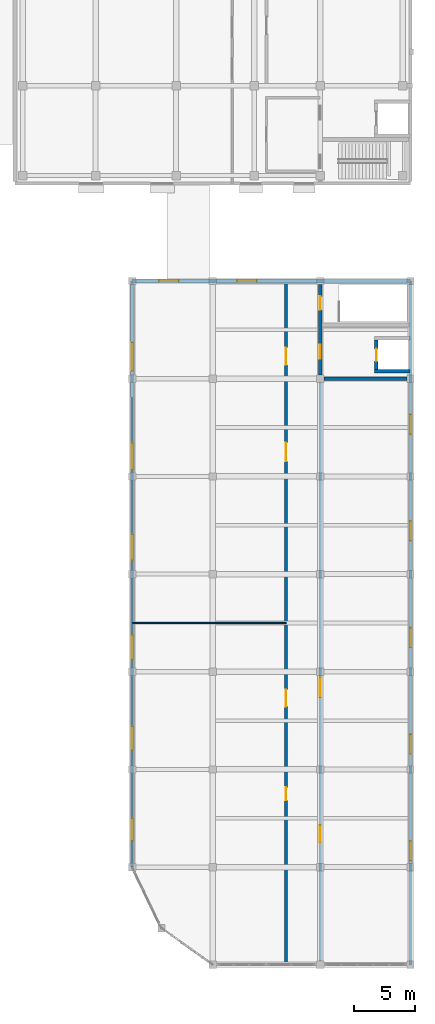
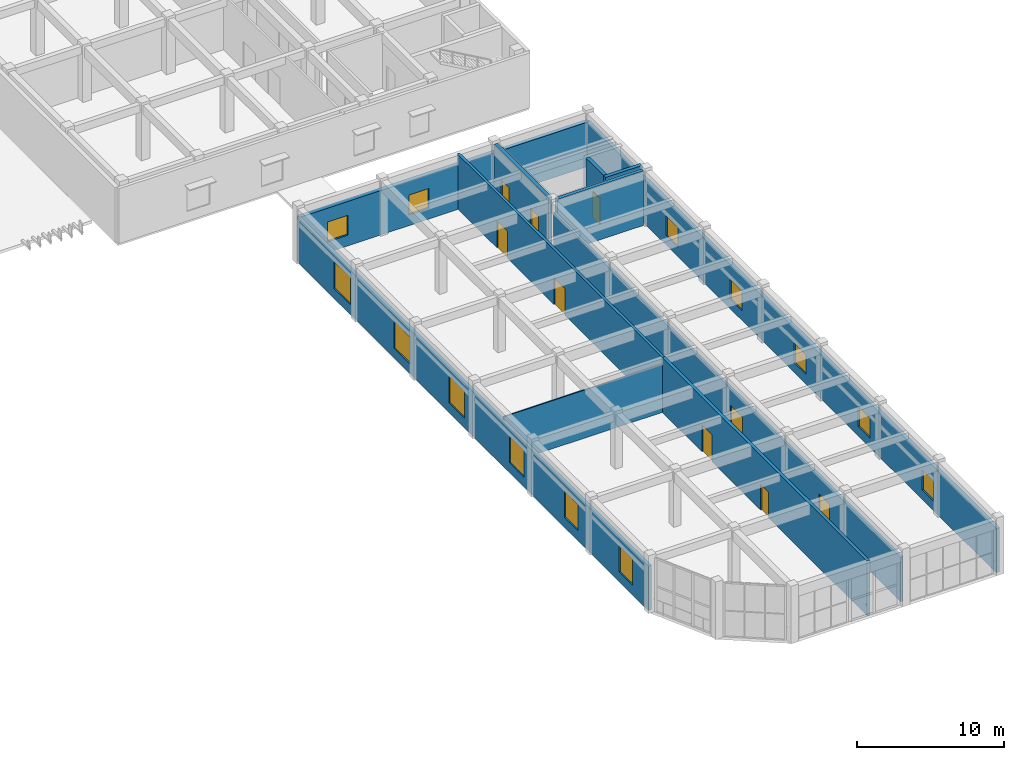
# One storey, part 56 of 76: 13 windows, 11 walls, 9 doors, 22 openings.
"""IFC4 building model written with IfcOpenShell, lengths in metres."""

from ifc_helpers import new_model, si_unit, direction, frame, frame_2d, origin, place, context, subcontext, project, spatial, rectangle, extrude, material, layer, layer_set, type_object, element, fill, save


model = new_model("IFC4")

# Units and contexts
model_context = context("Model", 3, precision=1e-05, world=origin(), true_north=direction((0.0, 1.0)))
body_context = subcontext(model_context, "Body", "Model", "MODEL_VIEW")
ifc_project = project(units=[si_unit("LENGTHUNIT", "METRE"), si_unit("AREAUNIT", "SQUARE_METRE"), si_unit("VOLUMEUNIT", "CUBIC_METRE"), si_unit("PLANEANGLEUNIT", "RADIAN"), si_unit("MASSUNIT", "GRAM", prefix="KILO")], contexts=[model_context])

# Site, building, storey
site_placement = place(None, origin())
site = spatial("IfcSite", under=ifc_project, at=site_placement, CompositionType="ELEMENT")
building_placement = place(site_placement, origin())
building = spatial("IfcBuilding", under=site, at=building_placement, Name="Cinchona Park Media Centre", CompositionType="ELEMENT")
storey_placement = place(building_placement, frame((0.0, 0.0, 15.60009765625)))
storey = spatial("IfcBuildingStorey", under=building, at=storey_placement, Name="L03", CompositionType="ELEMENT", Elevation=15.60009765625)

# Wall, openings, doors
ifc_material_1 = material(Name="Acoustic Double-Stud Gypsum Partition", Category="gypsum")
ifc_layer_1 = layer(ifc_material_1, 0.2099609375)
ifc_layer_set_1 = layer_set([ifc_layer_1], Name="Acoustic Double-Stud Gypsum Partition")
wall_type_1 = type_object("IfcWallType", Name="WALL-W-AC210", PredefinedType="PARTITIONING", material=ifc_layer_set_1)
wall_1_placement = place(storey_placement, frame((161.800048828125, 35.60009765625, 0.0), z_axis=(0.0, 0.0, 1.0), x_axis=(0.0, 1.0, 0.0)))
wall_1 = element("IfcWall", 1, at=wall_1_placement, inside=storey, type_object=wall_type_1, Name="Interior Wall W-AC210 L03", PredefinedType="PARTITIONING", context=body_context, shape_type="SweptSolid", body=[
    extrude(rectangle(XDim=28.0, YDim=0.2099609375, at=frame_2d((14.0, 0.0))), origin(), (0.0, 0.0, 1.0), 4.554931640625),
])
opening_1_placement = place(wall_1_placement, frame((13.22509765625, 0.0, 0.0)))
opening_1 = element("IfcOpeningElement", 2, at=opening_1_placement, cuts=wall_1, Name="Opening D319", PredefinedType="OPENING", context=body_context, shape_type="SweptSolid", body=[
    extrude(rectangle(XDim=1.550048828125, YDim=2.25, at=frame_2d((0.77490234375, 1.125))), frame((0.0, 0.114990234375, 0.0), z_axis=(0.0, -1.0, 0.0), x_axis=(1.0, 0.0, 0.0)), (0.0, 0.0, 1.0), 0.22998046875),
])
opening_2_placement = place(wall_1_placement, frame((21.139892578125, 0.0, 0.0)))
opening_2 = element("IfcOpeningElement", 3, at=opening_2_placement, cuts=wall_1, Name="Opening D320", PredefinedType="OPENING", context=body_context, shape_type="SweptSolid", body=[
    extrude(rectangle(XDim=1.39990234375, YDim=2.25, at=frame_2d((0.699951171875, 1.125))), frame((0.0, 0.114990234375, 0.0), z_axis=(0.0, -1.0, 0.0), x_axis=(1.0, 0.0, 0.0)), (0.0, 0.0, 1.0), 0.22998046875),
])
ifc_material_2 = material(Name="Acoustic Double-Seal Steel Door", Category="steel")
door_type_1 = type_object("IfcDoorType", Name="DOOR-DT-AC", OperationType="NOTDEFINED", PredefinedType="DOOR", material=ifc_material_2)
door_1_placement = place(opening_2_placement, origin())
door_1 = element("IfcDoor", 4, at=door_1_placement, inside=storey, type_object=door_type_1, Name="Interior Door D320", OperationType="SINGLE_SWING_RIGHT", OverallHeight=2.25, OverallWidth=1.39990234375, PredefinedType="DOOR", context=body_context, shape_type="SweptSolid", body=[
    extrude(rectangle(XDim=1.39990234375, YDim=2.25, at=frame_2d((0.699951171875, 1.125))), frame((0.0, 0.02490234375, 0.0), z_axis=(0.0, -1.0, 0.0), x_axis=(1.0, 0.0, 0.0)), (0.0, 0.0, 1.0), 0.050048828125),
])
fill(opening_2, door_1)
ifc_material_3 = material(Name="Solid-Core Timber Acoustic Door", Category="wood")
door_type_2 = type_object("IfcDoorType", Name="DOOR-DT16", OperationType="NOTDEFINED", PredefinedType="DOOR", material=ifc_material_3)
door_2_placement = place(opening_1_placement, origin())
door_2 = element("IfcDoor", 5, at=door_2_placement, inside=storey, type_object=door_type_2, Name="Interior Door D319", OperationType="SINGLE_SWING_LEFT", OverallHeight=2.25, OverallWidth=1.550048828125, PredefinedType="DOOR", context=body_context, shape_type="SweptSolid", body=[
    extrude(rectangle(XDim=1.550048828125, YDim=2.25, at=frame_2d((0.77490234375, 1.125))), frame((0.0, 0.02490234375, 0.0), z_axis=(0.0, -1.0, 0.0), x_axis=(1.0, 0.0, 0.0)), (0.0, 0.0, 1.0), 0.050048828125),
])
fill(opening_1, door_2)

ifc_material_4 = material(Name="Acoustic Double-Stud Gypsum Partition", Category="gypsum")
ifc_layer_2 = layer(ifc_material_4, 0.239990234375)
ifc_layer_set_2 = layer_set([ifc_layer_2], Name="Acoustic Double-Stud Gypsum Partition")
wall_type_2 = type_object("IfcWallType", Name="WALL-W-AC240", PredefinedType="PARTITIONING", material=ifc_layer_set_2)
wall_2_placement = place(storey_placement, frame((161.800048828125, 7.60009765625, 0.0), z_axis=(0.0, 0.0, 1.0), x_axis=(0.0, 1.0, 0.0)))
wall_2 = element("IfcWall", 6, at=wall_2_placement, inside=storey, type_object=wall_type_2, Name="Interior Wall W-AC240 L03", PredefinedType="PARTITIONING", context=body_context, shape_type="SweptSolid", body=[
    extrude(rectangle(XDim=28.0, YDim=0.239990234375, at=frame_2d((14.0, 0.0))), origin(), (0.0, 0.0, 1.0), 4.554931640625),
])
opening_3_placement = place(wall_2_placement, frame((13.47509765625, 0.0, 0.0)))
opening_3 = element("IfcOpeningElement", 7, at=opening_3_placement, cuts=wall_2, Name="Opening D317", PredefinedType="OPENING", context=body_context, shape_type="SweptSolid", body=[
    extrude(rectangle(XDim=1.050048828125, YDim=2.14990234375, at=frame_2d((0.52490234375, 1.074951171875))), frame((0.0, 0.1298828125, 0.0), z_axis=(0.0, -1.0, 0.0), x_axis=(1.0, 0.0, 0.0)), (0.0, 0.0, 1.0), 0.260009765625),
])
opening_4_placement = place(wall_2_placement, frame((21.139892578125, 0.0, 0.0)))
opening_4 = element("IfcOpeningElement", 8, at=opening_4_placement, cuts=wall_2, Name="Opening D318", PredefinedType="OPENING", context=body_context, shape_type="SweptSolid", body=[
    extrude(rectangle(XDim=1.39990234375, YDim=2.25, at=frame_2d((0.699951171875, 1.125))), frame((0.0, 0.1298828125, 0.0), z_axis=(0.0, -1.0, 0.0), x_axis=(1.0, 0.0, 0.0)), (0.0, 0.0, 1.0), 0.260009765625),
])
door_3_placement = place(opening_4_placement, origin())
door_3 = element("IfcDoor", 9, at=door_3_placement, inside=storey, type_object=door_type_1, Name="Interior Door D318", OperationType="SINGLE_SWING_RIGHT", OverallHeight=2.25, OverallWidth=1.39990234375, PredefinedType="DOOR", context=body_context, shape_type="SweptSolid", body=[
    extrude(rectangle(XDim=1.39990234375, YDim=2.25, at=frame_2d((0.699951171875, 1.125))), frame((0.0, 0.02490234375, 0.0), z_axis=(0.0, -1.0, 0.0), x_axis=(1.0, 0.0, 0.0)), (0.0, 0.0, 1.0), 0.050048828125),
])
fill(opening_4, door_3)
ifc_material_5 = material(Name="Solid-Core Timber Acoustic Door", Category="wood")
door_type_3 = type_object("IfcDoorType", Name="DOOR-DT06", OperationType="NOTDEFINED", PredefinedType="DOOR", material=ifc_material_5)
door_4_placement = place(opening_3_placement, origin())
door_4 = element("IfcDoor", 10, at=door_4_placement, inside=storey, type_object=door_type_3, Name="Interior Door D317", OperationType="SINGLE_SWING_LEFT", OverallHeight=2.14990234375, OverallWidth=1.050048828125, PredefinedType="DOOR", context=body_context, shape_type="SweptSolid", body=[
    extrude(rectangle(XDim=1.050048828125, YDim=2.14990234375, at=frame_2d((0.52490234375, 1.074951171875))), frame((0.0, 0.02490234375, 0.0), z_axis=(0.0, -1.0, 0.0), x_axis=(1.0, 0.0, 0.0)), (0.0, 0.0, 1.0), 0.050048828125),
])
fill(opening_3, door_4)

# Wall, openings, windows
ifc_material_6 = material(Name="Precast concrete C40/50", Category="concrete")
ifc_layer_3 = layer(ifc_material_6, 0.320068359375)
ifc_layer_set_3 = layer_set([ifc_layer_3], Name="Precast concrete C40/50")
wall_type_3 = type_object("IfcWallType", Name="WALL-W-EX02", PredefinedType="SOLIDWALL", material=ifc_layer_set_3)
wall_3_placement = place(storey_placement, frame((149.199951171875, 63.60009765625, 0.0), z_axis=(0.0, 0.0, 1.0), x_axis=(1.0, 0.0, 0.0)))
wall_3 = element("IfcWall", 11, at=wall_3_placement, inside=storey, type_object=wall_type_3, Name="Exterior Wall W-EX02 V6 L03", PredefinedType="SOLIDWALL", context=body_context, shape_type="SweptSolid", body=[
    extrude(rectangle(XDim=22.800048828125, YDim=0.320068359375, at=frame_2d((11.39990234375, 0.0))), origin(), (0.0, 0.0, 1.0), 3.704833984375),
])
opening_5_placement = place(wall_3_placement, frame((2.199951171875, 0.0, 0.89990234375)))
opening_5 = element("IfcOpeningElement", 12, at=opening_5_placement, cuts=wall_3, Name="Opening WN25", PredefinedType="OPENING", context=body_context, shape_type="SweptSolid", body=[
    extrude(rectangle(XDim=1.60009765625, YDim=1.64990234375, at=frame_2d((0.800048828125, 0.824951171875))), frame((0.0, 0.169921875, 0.0), z_axis=(0.0, -1.0, 0.0), x_axis=(1.0, 0.0, 0.0)), (0.0, 0.0, 1.0), 0.340087890625),
])
opening_6_placement = place(wall_3_placement, frame((8.60009765625, 0.0, 0.89990234375)))
opening_6 = element("IfcOpeningElement", 13, at=opening_6_placement, cuts=wall_3, Name="Opening WN25", PredefinedType="OPENING", context=body_context, shape_type="SweptSolid", body=[
    extrude(rectangle(XDim=1.60009765625, YDim=1.64990234375, at=frame_2d((0.800048828125, 0.824951171875))), frame((0.0, 0.169921875, 0.0), z_axis=(0.0, -1.0, 0.0), x_axis=(1.0, 0.0, 0.0)), (0.0, 0.0, 1.0), 0.340087890625),
])
ifc_material_7 = material(Name="Thermally Broken Aluminium Solar-Control Window", Category="aluminium")
window_type_1 = type_object("IfcWindowType", Name="WIN-WN25", PartitioningType="SINGLE_PANEL", PredefinedType="WINDOW", material=ifc_material_7)
window_1_placement = place(opening_5_placement, origin())
window_1 = element("IfcWindow", 14, at=window_1_placement, inside=storey, type_object=window_type_1, Name="Window WN25 L03", OverallHeight=1.64990234375, OverallWidth=1.60009765625, PartitioningType="SINGLE_PANEL", PredefinedType="WINDOW", context=body_context, shape_type="SweptSolid", body=[
    extrude(rectangle(XDim=1.60009765625, YDim=1.64990234375, at=frame_2d((0.800048828125, 0.824951171875))), frame((0.0, 0.030029296875, 0.0), z_axis=(0.0, -1.0, 0.0), x_axis=(1.0, 0.0, 0.0)), (0.0, 0.0, 1.0), 0.06005859375),
])
fill(opening_5, window_1)
window_2_placement = place(opening_6_placement, origin())
window_2 = element("IfcWindow", 15, at=window_2_placement, inside=storey, type_object=window_type_1, Name="Window WN25 L03", OverallHeight=1.64990234375, OverallWidth=1.60009765625, PartitioningType="SINGLE_PANEL", PredefinedType="WINDOW", context=body_context, shape_type="SweptSolid", body=[
    extrude(rectangle(XDim=1.60009765625, YDim=1.64990234375, at=frame_2d((0.800048828125, 0.824951171875))), frame((0.0, 0.030029296875, 0.0), z_axis=(0.0, -1.0, 0.0), x_axis=(1.0, 0.0, 0.0)), (0.0, 0.0, 1.0), 0.06005859375),
])
fill(opening_6, window_2)

ifc_material_8 = material(Name="Precast concrete C40/50", Category="concrete")
ifc_layer_4 = layer(ifc_material_8, 0.27490234375)
ifc_layer_set_4 = layer_set([ifc_layer_4], Name="Precast concrete C40/50")
wall_type_4 = type_object("IfcWallType", Name="WALL-W-EX03", PredefinedType="SOLIDWALL", material=ifc_layer_set_4)
wall_4_placement = place(storey_placement, frame((172.0, 63.60009765625, 0.0), z_axis=(0.0, 0.0, 1.0), x_axis=(0.0, -1.0, 0.0)))
wall_4 = element("IfcWall", 16, at=wall_4_placement, inside=storey, type_object=wall_type_4, Name="Exterior Wall W-EX03 V6 L03", PredefinedType="SOLIDWALL", context=body_context, shape_type="SweptSolid", body=[
    extrude(rectangle(XDim=56.0, YDim=0.27490234375, at=frame_2d((28.0, 0.0))), origin(), (0.0, 0.0, 1.0), 3.704833984375),
])
opening_7_placement = place(wall_4_placement, frame((10.93310546875, 0.0, 0.800048828125)))
opening_7 = element("IfcOpeningElement", 17, at=opening_7_placement, cuts=wall_4, Name="Opening WN25", PredefinedType="OPENING", context=body_context, shape_type="SweptSolid", body=[
    extrude(rectangle(XDim=1.60009765625, YDim=1.64990234375, at=frame_2d((0.800048828125, 0.824951171875))), frame((0.0, 0.1474609375, 0.0), z_axis=(0.0, -1.0, 0.0), x_axis=(1.0, 0.0, 0.0)), (0.0, 0.0, 1.0), 0.294921875),
])
opening_8_placement = place(wall_4_placement, frame((19.6669921875, 0.0, 0.800048828125)))
opening_8 = element("IfcOpeningElement", 18, at=opening_8_placement, cuts=wall_4, Name="Opening WN25", PredefinedType="OPENING", context=body_context, shape_type="SweptSolid", body=[
    extrude(rectangle(XDim=1.60009765625, YDim=1.64990234375, at=frame_2d((0.800048828125, 0.824951171875))), frame((0.0, 0.1474609375, 0.0), z_axis=(0.0, -1.0, 0.0), x_axis=(1.0, 0.0, 0.0)), (0.0, 0.0, 1.0), 0.294921875),
])
opening_9_placement = place(wall_4_placement, frame((28.39990234375, 0.0, 0.800048828125)))
opening_9 = element("IfcOpeningElement", 19, at=opening_9_placement, cuts=wall_4, Name="Opening WN25", PredefinedType="OPENING", context=body_context, shape_type="SweptSolid", body=[
    extrude(rectangle(XDim=1.60009765625, YDim=1.64990234375, at=frame_2d((0.800048828125, 0.824951171875))), frame((0.0, 0.1474609375, 0.0), z_axis=(0.0, -1.0, 0.0), x_axis=(1.0, 0.0, 0.0)), (0.0, 0.0, 1.0), 0.294921875),
])
opening_10_placement = place(wall_4_placement, frame((37.133056640625, 0.0, 0.800048828125)))
opening_10 = element("IfcOpeningElement", 20, at=opening_10_placement, cuts=wall_4, Name="Opening WN25", PredefinedType="OPENING", context=body_context, shape_type="SweptSolid", body=[
    extrude(rectangle(XDim=1.60009765625, YDim=1.64990234375, at=frame_2d((0.800048828125, 0.824951171875))), frame((0.0, 0.1474609375, 0.0), z_axis=(0.0, -1.0, 0.0), x_axis=(1.0, 0.0, 0.0)), (0.0, 0.0, 1.0), 0.294921875),
])
opening_11_placement = place(wall_4_placement, frame((45.866943359375, 0.0, 0.800048828125)))
opening_11 = element("IfcOpeningElement", 21, at=opening_11_placement, cuts=wall_4, Name="Opening WN25", PredefinedType="OPENING", context=body_context, shape_type="SweptSolid", body=[
    extrude(rectangle(XDim=1.60009765625, YDim=1.64990234375, at=frame_2d((0.800048828125, 0.824951171875))), frame((0.0, 0.1474609375, 0.0), z_axis=(0.0, -1.0, 0.0), x_axis=(1.0, 0.0, 0.0)), (0.0, 0.0, 1.0), 0.294921875),
])
window_3_placement = place(opening_7_placement, origin())
window_3 = element("IfcWindow", 22, at=window_3_placement, inside=storey, type_object=window_type_1, Name="Window WN25 L03", OverallHeight=1.64990234375, OverallWidth=1.60009765625, PartitioningType="SINGLE_PANEL", PredefinedType="WINDOW", context=body_context, shape_type="SweptSolid", body=[
    extrude(rectangle(XDim=1.60009765625, YDim=1.64990234375, at=frame_2d((0.800048828125, 0.824951171875))), frame((0.0, 0.030029296875, 0.0), z_axis=(0.0, -1.0, 0.0), x_axis=(1.0, 0.0, 0.0)), (0.0, 0.0, 1.0), 0.06005859375),
])
fill(opening_7, window_3)
window_4_placement = place(opening_8_placement, origin())
window_4 = element("IfcWindow", 23, at=window_4_placement, inside=storey, type_object=window_type_1, Name="Window WN25 L03", OverallHeight=1.64990234375, OverallWidth=1.60009765625, PartitioningType="SINGLE_PANEL", PredefinedType="WINDOW", context=body_context, shape_type="SweptSolid", body=[
    extrude(rectangle(XDim=1.60009765625, YDim=1.64990234375, at=frame_2d((0.800048828125, 0.824951171875))), frame((0.0, 0.030029296875, 0.0), z_axis=(0.0, -1.0, 0.0), x_axis=(1.0, 0.0, 0.0)), (0.0, 0.0, 1.0), 0.06005859375),
])
fill(opening_8, window_4)
window_5_placement = place(opening_9_placement, origin())
window_5 = element("IfcWindow", 24, at=window_5_placement, inside=storey, type_object=window_type_1, Name="Window WN25 L03", OverallHeight=1.64990234375, OverallWidth=1.60009765625, PartitioningType="SINGLE_PANEL", PredefinedType="WINDOW", context=body_context, shape_type="SweptSolid", body=[
    extrude(rectangle(XDim=1.60009765625, YDim=1.64990234375, at=frame_2d((0.800048828125, 0.824951171875))), frame((0.0, 0.030029296875, 0.0), z_axis=(0.0, -1.0, 0.0), x_axis=(1.0, 0.0, 0.0)), (0.0, 0.0, 1.0), 0.06005859375),
])
fill(opening_9, window_5)
window_6_placement = place(opening_10_placement, origin())
window_6 = element("IfcWindow", 25, at=window_6_placement, inside=storey, type_object=window_type_1, Name="Window WN25 L03", OverallHeight=1.64990234375, OverallWidth=1.60009765625, PartitioningType="SINGLE_PANEL", PredefinedType="WINDOW", context=body_context, shape_type="SweptSolid", body=[
    extrude(rectangle(XDim=1.60009765625, YDim=1.64990234375, at=frame_2d((0.800048828125, 0.824951171875))), frame((0.0, 0.030029296875, 0.0), z_axis=(0.0, -1.0, 0.0), x_axis=(1.0, 0.0, 0.0)), (0.0, 0.0, 1.0), 0.06005859375),
])
fill(opening_10, window_6)
window_7_placement = place(opening_11_placement, origin())
window_7 = element("IfcWindow", 26, at=window_7_placement, inside=storey, type_object=window_type_1, Name="Window WN25 L03", OverallHeight=1.64990234375, OverallWidth=1.60009765625, PartitioningType="SINGLE_PANEL", PredefinedType="WINDOW", context=body_context, shape_type="SweptSolid", body=[
    extrude(rectangle(XDim=1.60009765625, YDim=1.64990234375, at=frame_2d((0.800048828125, 0.824951171875))), frame((0.0, 0.030029296875, 0.0), z_axis=(0.0, -1.0, 0.0), x_axis=(1.0, 0.0, 0.0)), (0.0, 0.0, 1.0), 0.06005859375),
])
fill(opening_11, window_7)

ifc_material_9 = material(Name="Precast concrete C40/50", Category="concrete")
ifc_layer_5 = layer(ifc_material_9, 0.25)
ifc_layer_set_5 = layer_set([ifc_layer_5], Name="Precast concrete C40/50")
wall_type_5 = type_object("IfcWallType", Name="WALL-W-EX04", PredefinedType="SOLIDWALL", material=ifc_layer_set_5)
wall_5_placement = place(storey_placement, frame((149.199951171875, 15.60009765625, 0.0), z_axis=(0.0, 0.0, 1.0), x_axis=(0.0, 1.0, 0.0)))
wall_5 = element("IfcWall", 27, at=wall_5_placement, inside=storey, type_object=wall_type_5, Name="Exterior Wall W-EX04 V6 L03", PredefinedType="SOLIDWALL", context=body_context, shape_type="SweptSolid", body=[
    extrude(rectangle(XDim=48.0, YDim=0.25, at=frame_2d((24.0, 0.0))), origin(), (0.0, 0.0, 1.0), 3.704833984375),
])
opening_12_placement = place(wall_5_placement, frame((2.199951171875, 0.0, 0.800048828125)))
opening_12 = element("IfcOpeningElement", 28, at=opening_12_placement, cuts=wall_5, Name="Opening WN05", PredefinedType="OPENING", context=body_context, shape_type="SweptSolid", body=[
    extrude(rectangle(XDim=1.800048828125, YDim=2.14990234375, at=frame_2d((0.89990234375, 1.074951171875))), frame((0.0, 0.135009765625, 0.0), z_axis=(0.0, -1.0, 0.0), x_axis=(1.0, 0.0, 0.0)), (0.0, 0.0, 1.0), 0.27001953125),
])
opening_13_placement = place(wall_5_placement, frame((9.60009765625, 0.0, 0.800048828125)))
opening_13 = element("IfcOpeningElement", 29, at=opening_13_placement, cuts=wall_5, Name="Opening WN06", PredefinedType="OPENING", context=body_context, shape_type="SweptSolid", body=[
    extrude(rectangle(XDim=1.89990234375, YDim=2.199951171875, at=frame_2d((0.949951171875, 1.10009765625))), frame((0.0, 0.135009765625, 0.0), z_axis=(0.0, -1.0, 0.0), x_axis=(1.0, 0.0, 0.0)), (0.0, 0.0, 1.0), 0.27001953125),
])
opening_14_placement = place(wall_5_placement, frame((17.0, 0.0, 0.800048828125)))
opening_14 = element("IfcOpeningElement", 30, at=opening_14_placement, cuts=wall_5, Name="Opening WN07", PredefinedType="OPENING", context=body_context, shape_type="SweptSolid", body=[
    extrude(rectangle(XDim=2.0, YDim=2.199951171875, at=frame_2d((1.0, 1.10009765625))), frame((0.0, 0.135009765625, 0.0), z_axis=(0.0, -1.0, 0.0), x_axis=(1.0, 0.0, 0.0)), (0.0, 0.0, 1.0), 0.27001953125),
])
opening_15_placement = place(wall_5_placement, frame((25.14990234375, 0.0, 0.800048828125)))
opening_15 = element("IfcOpeningElement", 31, at=opening_15_placement, cuts=wall_5, Name="Opening WN08", PredefinedType="OPENING", context=body_context, shape_type="SweptSolid", body=[
    extrude(rectangle(XDim=2.10009765625, YDim=2.199951171875, at=frame_2d((1.050048828125, 1.10009765625))), frame((0.0, 0.135009765625, 0.0), z_axis=(0.0, -1.0, 0.0), x_axis=(1.0, 0.0, 0.0)), (0.0, 0.0, 1.0), 0.27001953125),
])
opening_16_placement = place(wall_5_placement, frame((32.550048828125, 0.0, 0.800048828125)))
opening_16 = element("IfcOpeningElement", 32, at=opening_16_placement, cuts=wall_5, Name="Opening WN09", PredefinedType="OPENING", context=body_context, shape_type="SweptSolid", body=[
    extrude(rectangle(XDim=2.199951171875, YDim=2.25, at=frame_2d((1.10009765625, 1.125))), frame((0.0, 0.135009765625, 0.0), z_axis=(0.0, -1.0, 0.0), x_axis=(1.0, 0.0, 0.0)), (0.0, 0.0, 1.0), 0.27001953125),
])
opening_17_placement = place(wall_5_placement, frame((40.64990234375, 0.0, 0.800048828125)))
opening_17 = element("IfcOpeningElement", 33, at=opening_17_placement, cuts=wall_5, Name="Opening WN10", PredefinedType="OPENING", context=body_context, shape_type="SweptSolid", body=[
    extrude(rectangle(XDim=2.300048828125, YDim=2.25, at=frame_2d((1.14990234375, 1.125))), frame((0.0, 0.135009765625, 0.0), z_axis=(0.0, -1.0, 0.0), x_axis=(1.0, 0.0, 0.0)), (0.0, 0.0, 1.0), 0.27001953125),
])
ifc_material_10 = material(Name="Thermally Broken Aluminium Solar-Control Window", Category="aluminium")
window_type_2 = type_object("IfcWindowType", Name="WIN-WN05", PartitioningType="SINGLE_PANEL", PredefinedType="WINDOW", material=ifc_material_10)
window_8_placement = place(opening_12_placement, origin())
window_8 = element("IfcWindow", 34, at=window_8_placement, inside=storey, type_object=window_type_2, Name="Window WN05 L03", OverallHeight=2.14990234375, OverallWidth=1.800048828125, PartitioningType="SINGLE_PANEL", PredefinedType="WINDOW", context=body_context, shape_type="SweptSolid", body=[
    extrude(rectangle(XDim=1.800048828125, YDim=2.14990234375, at=frame_2d((0.89990234375, 1.074951171875))), frame((0.0, 0.030029296875, 0.0), z_axis=(0.0, -1.0, 0.0), x_axis=(1.0, 0.0, 0.0)), (0.0, 0.0, 1.0), 0.06005859375),
])
fill(opening_12, window_8)
ifc_material_11 = material(Name="Thermally Broken Aluminium Solar-Control Window", Category="aluminium")
window_type_3 = type_object("IfcWindowType", Name="WIN-WN06", PartitioningType="SINGLE_PANEL", PredefinedType="WINDOW", material=ifc_material_11)
window_9_placement = place(opening_13_placement, origin())
window_9 = element("IfcWindow", 35, at=window_9_placement, inside=storey, type_object=window_type_3, Name="Window WN06 L03", OverallHeight=2.199951171875, OverallWidth=1.89990234375, PartitioningType="SINGLE_PANEL", PredefinedType="WINDOW", context=body_context, shape_type="SweptSolid", body=[
    extrude(rectangle(XDim=1.89990234375, YDim=2.199951171875, at=frame_2d((0.949951171875, 1.10009765625))), frame((0.0, 0.030029296875, 0.0), z_axis=(0.0, -1.0, 0.0), x_axis=(1.0, 0.0, 0.0)), (0.0, 0.0, 1.0), 0.06005859375),
])
fill(opening_13, window_9)
ifc_material_12 = material(Name="Thermally Broken Aluminium Solar-Control Window", Category="aluminium")
window_type_4 = type_object("IfcWindowType", Name="WIN-WN07", PartitioningType="SINGLE_PANEL", PredefinedType="WINDOW", material=ifc_material_12)
window_10_placement = place(opening_14_placement, origin())
window_10 = element("IfcWindow", 36, at=window_10_placement, inside=storey, type_object=window_type_4, Name="Window WN07 L03", OverallHeight=2.199951171875, OverallWidth=2.0, PartitioningType="SINGLE_PANEL", PredefinedType="WINDOW", context=body_context, shape_type="SweptSolid", body=[
    extrude(rectangle(XDim=2.0, YDim=2.199951171875, at=frame_2d((1.0, 1.10009765625))), frame((0.0, 0.030029296875, 0.0), z_axis=(0.0, -1.0, 0.0), x_axis=(1.0, 0.0, 0.0)), (0.0, 0.0, 1.0), 0.06005859375),
])
fill(opening_14, window_10)
ifc_material_13 = material(Name="Thermally Broken Aluminium Solar-Control Window", Category="aluminium")
window_type_5 = type_object("IfcWindowType", Name="WIN-WN08", PartitioningType="SINGLE_PANEL", PredefinedType="WINDOW", material=ifc_material_13)
window_11_placement = place(opening_15_placement, origin())
window_11 = element("IfcWindow", 37, at=window_11_placement, inside=storey, type_object=window_type_5, Name="Window WN08 L03", OverallHeight=2.199951171875, OverallWidth=2.10009765625, PartitioningType="SINGLE_PANEL", PredefinedType="WINDOW", context=body_context, shape_type="SweptSolid", body=[
    extrude(rectangle(XDim=2.10009765625, YDim=2.199951171875, at=frame_2d((1.050048828125, 1.10009765625))), frame((0.0, 0.030029296875, 0.0), z_axis=(0.0, -1.0, 0.0), x_axis=(1.0, 0.0, 0.0)), (0.0, 0.0, 1.0), 0.06005859375),
])
fill(opening_15, window_11)
ifc_material_14 = material(Name="Thermally Broken Aluminium Solar-Control Window", Category="aluminium")
window_type_6 = type_object("IfcWindowType", Name="WIN-WN09", PartitioningType="SINGLE_PANEL", PredefinedType="WINDOW", material=ifc_material_14)
window_12_placement = place(opening_16_placement, origin())
window_12 = element("IfcWindow", 38, at=window_12_placement, inside=storey, type_object=window_type_6, Name="Window WN09 L03", OverallHeight=2.25, OverallWidth=2.199951171875, PartitioningType="SINGLE_PANEL", PredefinedType="WINDOW", context=body_context, shape_type="SweptSolid", body=[
    extrude(rectangle(XDim=2.199951171875, YDim=2.25, at=frame_2d((1.10009765625, 1.125))), frame((0.0, 0.030029296875, 0.0), z_axis=(0.0, -1.0, 0.0), x_axis=(1.0, 0.0, 0.0)), (0.0, 0.0, 1.0), 0.06005859375),
])
fill(opening_16, window_12)
ifc_material_15 = material(Name="Thermally Broken Aluminium Solar-Control Window", Category="aluminium")
window_type_7 = type_object("IfcWindowType", Name="WIN-WN10", PartitioningType="SINGLE_PANEL", PredefinedType="WINDOW", material=ifc_material_15)
window_13_placement = place(opening_17_placement, origin())
window_13 = element("IfcWindow", 39, at=window_13_placement, inside=storey, type_object=window_type_7, Name="Window WN10 L03", OverallHeight=2.25, OverallWidth=2.300048828125, PartitioningType="SINGLE_PANEL", PredefinedType="WINDOW", context=body_context, shape_type="SweptSolid", body=[
    extrude(rectangle(XDim=2.300048828125, YDim=2.25, at=frame_2d((1.14990234375, 1.125))), frame((0.0, 0.030029296875, 0.0), z_axis=(0.0, -1.0, 0.0), x_axis=(1.0, 0.0, 0.0)), (0.0, 0.0, 1.0), 0.06005859375),
])
fill(opening_17, window_13)

# Wall
ifc_material_16 = material(Name="Gypsum Metal-Stud Partition", Category="gypsum")
ifc_layer_6 = layer(ifc_material_16, 0.10009765625)
ifc_layer_set_6 = layer_set([ifc_layer_6], Name="Gypsum Metal-Stud Partition")
wall_type_6 = type_object("IfcWallType", Name="WALL-W-PT100", PredefinedType="PARTITIONING", material=ifc_layer_set_6)
wall_6_placement = place(storey_placement, frame((149.199951171875, 35.60009765625, 0.0), z_axis=(0.0, 0.0, 1.0), x_axis=(1.0, 0.0, 0.0)))
element("IfcWall", 40, at=wall_6_placement, inside=storey, type_object=wall_type_6, Name="Interior Wall W-PT100 L03", PredefinedType="PARTITIONING", context=body_context, shape_type="SweptSolid", body=[
    extrude(rectangle(XDim=12.60009765625, YDim=0.10009765625, at=frame_2d((6.300048828125, 0.0))), origin(), (0.0, 0.0, 1.0), 4.0048828125),
])

# Wall, openings, doors
ifc_material_17 = material(Name="Fire-Rated Gypsum Stud Partition", Category="gypsum")
ifc_layer_7 = layer(ifc_material_17, 0.18994140625)
ifc_layer_set_7 = layer_set([ifc_layer_7], Name="Fire-Rated Gypsum Stud Partition")
wall_type_7 = type_object("IfcWallType", Name="WALL-W-PT190", PredefinedType="PARTITIONING", material=ifc_layer_set_7)
wall_7_placement = place(storey_placement, frame((164.60009765625, 55.298095703125, 0.0), z_axis=(0.0, 0.0, 1.0), x_axis=(0.0, -1.0, 0.0)))
wall_7 = element("IfcWall", 41, at=wall_7_placement, inside=storey, type_object=wall_type_7, Name="Interior Wall W-PT190 L03", PredefinedType="PARTITIONING", context=body_context, shape_type="SweptSolid", body=[
    extrude(rectangle(XDim=47.39599609375, YDim=0.18994140625, at=frame_2d((23.697998046875, 0.0))), origin(), (0.0, 0.0, 1.0), 3.704833984375),
])
opening_18_placement = place(wall_7_placement, frame((24.179931640625, 0.0, 0.0)))
opening_18 = element("IfcOpeningElement", 42, at=opening_18_placement, cuts=wall_7, Name="Opening D321", PredefinedType="OPENING", context=body_context, shape_type="SweptSolid", body=[
    extrude(rectangle(XDim=1.60009765625, YDim=2.300048828125, at=frame_2d((0.800048828125, 1.14990234375))), frame((0.0, 0.10498046875, 0.0), z_axis=(0.0, -1.0, 0.0), x_axis=(1.0, 0.0, 0.0)), (0.0, 0.0, 1.0), 0.2099609375),
])
opening_19_placement = place(wall_7_placement, frame((36.26904296875, 0.0, 0.0)))
opening_19 = element("IfcOpeningElement", 43, at=opening_19_placement, cuts=wall_7, Name="Opening D322", PredefinedType="OPENING", context=body_context, shape_type="SweptSolid", body=[
    extrude(rectangle(XDim=1.39990234375, YDim=2.25, at=frame_2d((0.699951171875, 1.125))), frame((0.0, 0.10498046875, 0.0), z_axis=(0.0, -1.0, 0.0), x_axis=(1.0, 0.0, 0.0)), (0.0, 0.0, 1.0), 0.2099609375),
])
door_5_placement = place(opening_19_placement, origin())
door_5 = element("IfcDoor", 44, at=door_5_placement, inside=storey, type_object=door_type_1, Name="Interior Door D322", OperationType="SINGLE_SWING_RIGHT", OverallHeight=2.25, OverallWidth=1.39990234375, PredefinedType="DOOR", context=body_context, shape_type="SweptSolid", body=[
    extrude(rectangle(XDim=1.39990234375, YDim=2.25, at=frame_2d((0.699951171875, 1.125))), frame((0.0, 0.02490234375, 0.0), z_axis=(0.0, -1.0, 0.0), x_axis=(1.0, 0.0, 0.0)), (0.0, 0.0, 1.0), 0.050048828125),
])
fill(opening_19, door_5)
ifc_material_18 = material(Name="Solid-Core Timber Acoustic Door", Category="wood")
door_type_4 = type_object("IfcDoorType", Name="DOOR-DT17", OperationType="NOTDEFINED", PredefinedType="DOOR", material=ifc_material_18)
door_6_placement = place(opening_18_placement, origin())
door_6 = element("IfcDoor", 45, at=door_6_placement, inside=storey, type_object=door_type_4, Name="Interior Door D321", OperationType="SINGLE_SWING_LEFT", OverallHeight=2.300048828125, OverallWidth=1.60009765625, PredefinedType="DOOR", context=body_context, shape_type="SweptSolid", body=[
    extrude(rectangle(XDim=1.60009765625, YDim=2.300048828125, at=frame_2d((0.800048828125, 1.14990234375))), frame((0.0, 0.02490234375, 0.0), z_axis=(0.0, -1.0, 0.0), x_axis=(1.0, 0.0, 0.0)), (0.0, 0.0, 1.0), 0.050048828125),
])
fill(opening_18, door_6)

# Wall
ifc_material_19 = material(Name="Concrete C40/50", Category="concrete")
ifc_layer_8 = layer(ifc_material_19, 0.2900390625)
ifc_layer_set_8 = layer_set([ifc_layer_8], Name="Concrete C40/50")
wall_type_8 = type_object("IfcWallType", Name="WALL-W-SH290", PredefinedType="SHEAR", material=ifc_layer_set_8)
wall_8_placement = place(storey_placement, frame((164.902099609375, 55.60009765625, 0.0), z_axis=(0.0, 0.0, 1.0), x_axis=(1.0, 0.0, 0.0)))
element("IfcWall", 46, at=wall_8_placement, inside=storey, type_object=wall_type_8, Name="Core Shear Wall W-SH290 L03", PredefinedType="SHEAR", context=body_context, shape_type="SweptSolid", body=[
    extrude(rectangle(XDim=6.7958984375, YDim=0.2900390625, at=frame_2d((3.39794921875, 0.0))), origin(), (0.0, 0.0, 1.0), 4.554931640625),
])

# Wall, openings, doors
wall_9_placement = place(storey_placement, frame((164.60009765625, 55.902099609375, 0.0), z_axis=(0.0, 0.0, 1.0), x_axis=(0.0, 1.0, 0.0)))
wall_9 = element("IfcWall", 47, at=wall_9_placement, inside=storey, type_object=wall_type_8, Name="Core Shear Wall W-SH290 L03", PredefinedType="SHEAR", context=body_context, shape_type="SweptSolid", body=[
    extrude(rectangle(XDim=7.39599609375, YDim=0.2900390625, at=frame_2d((3.697998046875, 0.0))), origin(), (0.0, 0.0, 1.0), 4.554931640625),
])
opening_20_placement = place(wall_9_placement, frame((5.347900390625, 0.0, 0.0)))
opening_20 = element("IfcOpeningElement", 48, at=opening_20_placement, cuts=wall_9, Name="Opening D104", PredefinedType="OPENING", context=body_context, shape_type="SweptSolid", body=[
    extrude(rectangle(XDim=1.10009765625, YDim=2.14990234375, at=frame_2d((0.550048828125, 1.074951171875))), frame((0.0, 0.155029296875, 0.0), z_axis=(0.0, -1.0, 0.0), x_axis=(1.0, 0.0, 0.0)), (0.0, 0.0, 1.0), 0.31005859375),
])
opening_21_placement = place(wall_9_placement, frame((1.322998046875, 0.0, 0.0)))
opening_21 = element("IfcOpeningElement", 49, at=opening_21_placement, cuts=wall_9, Name="Opening D105", PredefinedType="OPENING", context=body_context, shape_type="SweptSolid", body=[
    extrude(rectangle(XDim=1.14990234375, YDim=2.199951171875, at=frame_2d((0.574951171875, 1.10009765625))), frame((0.0, 0.155029296875, 0.0), z_axis=(0.0, -1.0, 0.0), x_axis=(1.0, 0.0, 0.0)), (0.0, 0.0, 1.0), 0.31005859375),
])
ifc_material_20 = material(Name="Insulated Fire-Rated Steel Door", Category="steel")
door_type_5 = type_object("IfcDoorType", Name="DOOR-DT-FF", OperationType="NOTDEFINED", PredefinedType="DOOR", material=ifc_material_20)
door_7_placement = place(opening_21_placement, origin())
door_7 = element("IfcDoor", 50, at=door_7_placement, inside=storey, type_object=door_type_5, Name="Interior Door D105", OperationType="SINGLE_SWING_LEFT", OverallHeight=2.199951171875, OverallWidth=1.14990234375, PredefinedType="DOOR", context=body_context, shape_type="SweptSolid", body=[
    extrude(rectangle(XDim=1.14990234375, YDim=2.199951171875, at=frame_2d((0.574951171875, 1.10009765625))), frame((0.0, 0.02490234375, 0.0), z_axis=(0.0, -1.0, 0.0), x_axis=(1.0, 0.0, 0.0)), (0.0, 0.0, 1.0), 0.050048828125),
])
fill(opening_21, door_7)
ifc_material_21 = material(Name="Insulated Fire-Rated Steel Door", Category="steel")
door_type_6 = type_object("IfcDoorType", Name="DOOR-DT-ST", OperationType="NOTDEFINED", PredefinedType="DOOR", material=ifc_material_21)
door_8_placement = place(opening_20_placement, origin())
door_8 = element("IfcDoor", 51, at=door_8_placement, inside=storey, type_object=door_type_6, Name="Interior Door D104", OperationType="SINGLE_SWING_RIGHT", OverallHeight=2.14990234375, OverallWidth=1.10009765625, PredefinedType="DOOR", context=body_context, shape_type="SweptSolid", body=[
    extrude(rectangle(XDim=1.10009765625, YDim=2.14990234375, at=frame_2d((0.550048828125, 1.074951171875))), frame((0.0, 0.02490234375, 0.0), z_axis=(0.0, -1.0, 0.0), x_axis=(1.0, 0.0, 0.0)), (0.0, 0.0, 1.0), 0.050048828125),
])
fill(opening_20, door_8)

# Wall
wall_10_placement = place(storey_placement, frame((169.054931640625, 56.199951171875, 0.0), z_axis=(0.0, 0.0, 1.0), x_axis=(1.0, 0.0, 0.0)))
element("IfcWall", 52, at=wall_10_placement, inside=storey, type_object=wall_type_8, Name="Core Shear Wall W-SH290 L03", PredefinedType="SHEAR", context=body_context, shape_type="SweptSolid", body=[
    extrude(rectangle(XDim=2.89013671875, YDim=0.2900390625, at=frame_2d((1.445068359375, 0.0))), origin(), (0.0, 0.0, 1.0), 4.554931640625),
])

# Wall, opening, door
wall_11_placement = place(storey_placement, frame((169.199951171875, 56.344970703125, 0.0), z_axis=(0.0, 0.0, 1.0), x_axis=(0.0, 1.0, 0.0)))
wall_11 = element("IfcWall", 53, at=wall_11_placement, inside=storey, type_object=wall_type_8, Name="Core Shear Wall W-SH290 L03", PredefinedType="SHEAR", context=body_context, shape_type="SweptSolid", body=[
    extrude(rectangle(XDim=2.409912109375, YDim=0.2900390625, at=frame_2d((1.205078125, 0.0))), origin(), (0.0, 0.0, 1.0), 4.554931640625),
])
opening_22_placement = place(wall_11_placement, frame((0.705078125, 0.0, 0.0)))
opening_22 = element("IfcOpeningElement", 54, at=opening_22_placement, cuts=wall_11, Name="Opening LD35", PredefinedType="OPENING", context=body_context, shape_type="SweptSolid", body=[
    extrude(rectangle(XDim=1.0, YDim=2.14990234375, at=frame_2d((0.5, 1.074951171875))), frame((0.0, 0.155029296875, 0.0), z_axis=(0.0, -1.0, 0.0), x_axis=(1.0, 0.0, 0.0)), (0.0, 0.0, 1.0), 0.31005859375),
])
ifc_material_22 = material(Name="Stainless Steel Sliding Lift Landing Door", Category="steel")
door_type_7 = type_object("IfcDoorType", Name="DOOR-DT-LD2", OperationType="NOTDEFINED", PredefinedType="DOOR", material=ifc_material_22)
door_9_placement = place(opening_22_placement, origin())
door_9 = element("IfcDoor", 55, at=door_9_placement, inside=storey, type_object=door_type_7, Name="Lift Landing Door LD35", OperationType="SLIDING_TO_LEFT", OverallHeight=2.14990234375, OverallWidth=1.0, PredefinedType="DOOR", context=body_context, shape_type="SweptSolid", body=[
    extrude(rectangle(XDim=1.0, YDim=2.14990234375, at=frame_2d((0.5, 1.074951171875))), frame((0.0, 0.02490234375, 0.0), z_axis=(0.0, -1.0, 0.0), x_axis=(1.0, 0.0, 0.0)), (0.0, 0.0, 1.0), 0.050048828125),
])
fill(opening_22, door_9)

save(model, "model.ifc")
